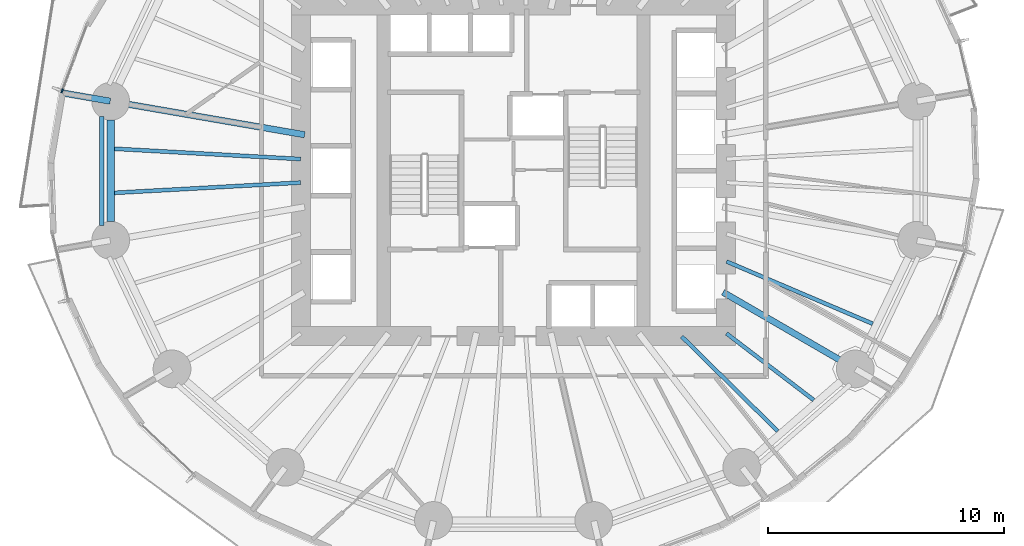
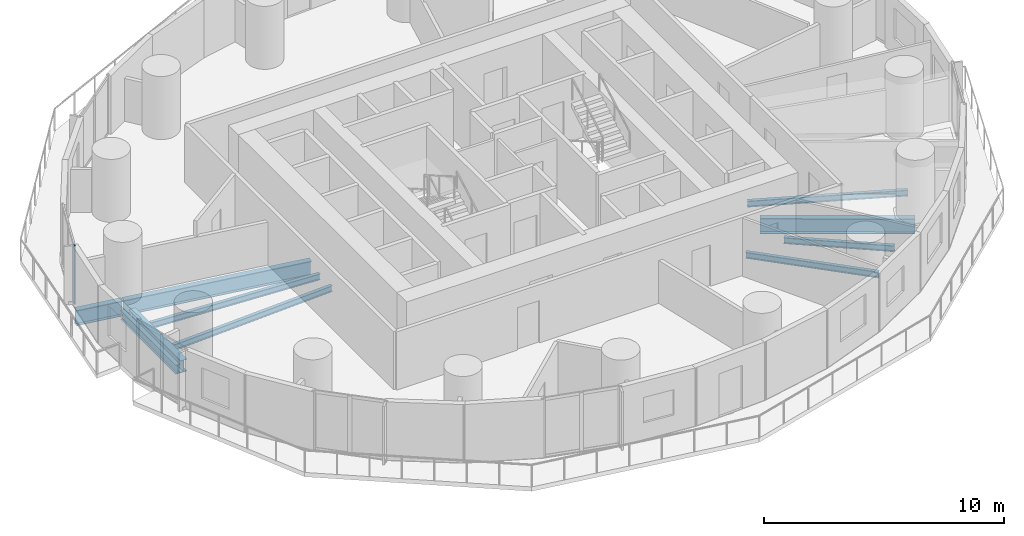
# One storey, part 3 of 14: 10 beams, 1 member, 1 element without a shape of its own.
"""IFC4 building model written with IfcOpenShell, lengths in metres."""

from ifc_helpers import new_model, si_unit, direction, frame, origin, origin_2d, place, context, subcontext, project, spatial, rectangle, i_section, extrude, material, material_profile, profile_set, type_object, element, aggregate, save


model = new_model("IFC4")

# Units and contexts
model_context = context("Model", 3, precision=1e-05, world=origin(), true_north=direction((0.0, 1.0)))
body_context = subcontext(model_context, "Body", "Model", "MODEL_VIEW")
ifc_project = project(units=[si_unit("LENGTHUNIT", "METRE"), si_unit("AREAUNIT", "SQUARE_METRE"), si_unit("VOLUMEUNIT", "CUBIC_METRE"), si_unit("PLANEANGLEUNIT", "RADIAN"), si_unit("MASSUNIT", "GRAM", prefix="KILO")], contexts=[model_context])

# Site, building, storey
site_placement = place(None, origin())
site = spatial("IfcSite", under=ifc_project, at=site_placement, CompositionType="ELEMENT")
building_placement = place(site_placement, origin())
building = spatial("IfcBuilding", under=site, at=building_placement, Name="Veldorim Arch Residences", CompositionType="ELEMENT")
storey_placement = place(building_placement, frame((0.0, 0.0, 37.60009765625)))
storey = spatial("IfcBuildingStorey", under=building, at=storey_placement, Name="L10", CompositionType="ELEMENT", Elevation=37.60009765625)

# Beams
ifc_material_1 = material(Name="Steel S355", Category="steel")
ifc_material_profile_1 = material_profile(ifc_material_1, i_section(OverallWidth=0.30712890625, OverallDepth=0.6201171875, WebThickness=0.01416015625, FlangeThickness=0.023681640625, at=origin_2d()), Name="UB610x305x179")
ifc_profile_set_1 = profile_set([ifc_material_profile_1], Name="Steel S355")
beam_type_1 = type_object("IfcBeamType", Name="Structural Steel Beam UB610x305x179", PredefinedType="BEAM", material=ifc_profile_set_1)
beam_1_placement = place(storey_placement, frame((14.934326171875, 26.14599609375, -0.55029296875), z_axis=(0.0, -1.0, 0.0), x_axis=(1.0, 0.0, 0.0)))
element("IfcBeam", 1, at=beam_1_placement, inside=storey, type_object=beam_type_1, Name="L10 perimeter ring tie beam 08", PredefinedType="BEAM", context=body_context, shape_type="SweptSolid", body=[
    extrude(i_section(OverallWidth=0.30712890625, OverallDepth=0.6201171875, WebThickness=0.01416015625, FlangeThickness=0.023681640625, at=origin_2d()), origin(), (0.0, 0.0, 1.0), 4.2919921875),
])
ifc_material_2 = material(Name="Steel S355", Category="steel")
ifc_material_profile_2 = material_profile(ifc_material_2, i_section(OverallWidth=0.26806640625, OverallDepth=0.769775390625, WebThickness=0.015625, FlangeThickness=0.025390625, at=origin_2d()), Name="UB762x267x197")
ifc_profile_set_2 = profile_set([ifc_material_profile_2], Name="Steel S355")
beam_type_2 = type_object("IfcBeamType", Name="Structural Steel GIRDER UB762x267x197", PredefinedType="USERDEFINED", material=ifc_profile_set_2)
beam_2_placement = place(storey_placement, frame((23.147705078125, 25.528076171875, -0.625), z_axis=(-0.985427548249, 0.170095699979, 0.0), x_axis=(-0.170095699979, -0.985427548249, 0.0)))
element("IfcBeam", 2, at=beam_2_placement, inside=storey, type_object=beam_type_2, Name="L10 radial floor girder 08", ObjectType="GIRDER", PredefinedType="USERDEFINED", context=body_context, shape_type="SweptSolid", body=[
    extrude(i_section(OverallWidth=0.26806640625, OverallDepth=0.769775390625, WebThickness=0.015625, FlangeThickness=0.025390625, at=origin_2d()), origin(), (0.0, 0.0, 1.0), 8.314697265625),
])
beam_3_placement = place(storey_placement, frame((14.91455078125, 26.94921875, -0.625), z_axis=(-0.985426816784, 0.170099937575, 0.0), x_axis=(-0.170099937575, -0.985426816784, 0.0)))
element("IfcBeam", 3, at=beam_3_placement, inside=storey, type_object=beam_type_2, Name="L10 radial edge cantilever girder 08", ObjectType="GIRDER", PredefinedType="USERDEFINED", context=body_context, shape_type="SweptSolid", body=[
    extrude(i_section(OverallWidth=0.26806640625, OverallDepth=0.769775390625, WebThickness=0.015625, FlangeThickness=0.025390625, at=origin_2d()), origin(), (0.0, 0.0, 1.0), 2.075439453125),
])
beam_4_placement = place(storey_placement, frame((40.8701171875, 18.8564453125, -0.625), z_axis=(0.865088348752, -0.501619525989, 0.0), x_axis=(0.501619525989, 0.865088348752, 0.0)))
element("IfcBeam", 4, at=beam_4_placement, inside=storey, type_object=beam_type_2, Name="L10 radial floor girder 15", ObjectType="GIRDER", PredefinedType="USERDEFINED", context=body_context, shape_type="SweptSolid", body=[
    extrude(i_section(OverallWidth=0.26806640625, OverallDepth=0.769775390625, WebThickness=0.015625, FlangeThickness=0.025390625, at=origin_2d()), origin(), (0.0, 0.0, 1.0), 6.4501953125),
])
ifc_material_3 = material(Name="Steel S355", Category="steel")
ifc_material_profile_3 = material_profile(ifc_material_3, i_section(OverallWidth=0.165771484375, OverallDepth=0.306640625, WebThickness=0.006591796875, FlangeThickness=0.01171875, at=origin_2d()), Name="UB305x165x46")
ifc_profile_set_3 = profile_set([ifc_material_profile_3], Name="Steel S355")
beam_type_3 = type_object("IfcBeamType", Name="Structural Steel Joist UB305x165x46", PredefinedType="JOIST", material=ifc_profile_set_3)
for number, where, z_axis, x_axis, name in (
    (5, (22.97998046875, 24.498291015625, -0.393310546875), (-0.998478371109, 0.055144740699, 0.0), (-0.055144740699, -0.998478371109, 0.0), "L10 secondary radial floor joist 08-1"),
    (6, (22.97998046875, 23.501708984375, -0.393310546875), (-0.998478371109, -0.055144740699, 0.0), (0.055144740699, -0.998478371109, 0.0), "L10 secondary radial floor joist 08-2"),
):
    element("IfcBeam", number, at=place(storey_placement, frame(where, z_axis=z_axis, x_axis=x_axis)), inside=storey, type_object=beam_type_3, Name=name, PredefinedType="JOIST", context=body_context, shape_type="SweptSolid", body=[
        extrude(i_section(OverallWidth=0.165771484375, OverallDepth=0.306640625, WebThickness=0.006591796875, FlangeThickness=0.01171875, at=origin_2d()), origin(), (0.0, 0.0, 1.0), 7.898193359375),
    ])
beam_5_placement = place(storey_placement, frame((39.114990234375, 16.986083984375, -0.393310546875), z_axis=(0.712129078446, -0.702048556463, 0.0), x_axis=(0.702048556463, 0.712129078446, 0.0)))
element("IfcBeam", 7, at=beam_5_placement, inside=storey, type_object=beam_type_3, Name="L10 secondary radial floor joist 14-1", PredefinedType="JOIST", context=body_context, shape_type="SweptSolid", body=[
    extrude(i_section(OverallWidth=0.165771484375, OverallDepth=0.306640625, WebThickness=0.006591796875, FlangeThickness=0.01171875, at=origin_2d()), origin(), (0.0, 0.0, 1.0), 5.715576171875),
])
beam_6_placement = place(storey_placement, frame((41.015869140625, 17.1123046875, -0.393310546875), z_axis=(0.794666431166, -0.607046343517, 0.0), x_axis=(0.607046343517, 0.794666431166, 0.0)))
element("IfcBeam", 8, at=beam_6_placement, inside=storey, type_object=beam_type_3, Name="L10 secondary radial floor joist 14-2", PredefinedType="JOIST", context=body_context, shape_type="SweptSolid", body=[
    extrude(i_section(OverallWidth=0.165771484375, OverallDepth=0.306640625, WebThickness=0.006591796875, FlangeThickness=0.01171875, at=origin_2d()), origin(), (0.0, 0.0, 1.0), 4.646728515625),
])
beam_7_placement = place(storey_placement, frame((41.018310546875, 20.15869140625, -0.393310546875), z_axis=(0.920032948668, -0.391841005213, 0.0), x_axis=(0.391841005213, 0.920032948668, 0.0)))
element("IfcBeam", 9, at=beam_7_placement, inside=storey, type_object=beam_type_3, Name="L10 secondary radial floor joist 15-1", PredefinedType="JOIST", context=body_context, shape_type="SweptSolid", body=[
    extrude(i_section(OverallWidth=0.165771484375, OverallDepth=0.306640625, WebThickness=0.006591796875, FlangeThickness=0.01171875, at=origin_2d()), origin(), (0.0, 0.0, 1.0), 6.723388671875),
])
ifc_material_4 = material(Name="Steel S355", Category="steel")
ifc_material_profile_4 = material_profile(ifc_material_4, i_section(OverallWidth=0.19140625, OverallDepth=0.4599609375, WebThickness=0.010009765625, FlangeThickness=0.01611328125, at=origin_2d()), Name="UB457x191x82")
ifc_profile_set_4 = profile_set([ifc_material_profile_4], Name="Steel S355")
beam_type_4 = type_object("IfcBeamType", Name="Structural Steel Spandrel UB457x191x82", PredefinedType="SPANDREL", material=ifc_profile_set_4)
beam_8_placement = place(storey_placement, frame((14.559814453125, 26.306396484375, -0.489990234375), z_axis=(0.0, -1.0, 0.0), x_axis=(1.0, 0.0, 0.0)))
element("IfcBeam", 10, at=beam_8_placement, inside=storey, type_object=beam_type_4, Name="L10 perimeter chord spandrel beam 08", PredefinedType="SPANDREL", context=body_context, shape_type="SweptSolid", body=[
    extrude(i_section(OverallWidth=0.19140625, OverallDepth=0.4599609375, WebThickness=0.010009765625, FlangeThickness=0.01611328125, at=origin_2d()), origin(), (0.0, 0.0, 1.0), 4.61279296875),
])

# Curtain wall, member
ifc_material_5 = material(Name="Aluminium", Category="aluminium")
curtain_wall_type = type_object("IfcCurtainWallType", Name="Zone 1 Acoustic Low-E Unitised Curtain Wall", PredefinedType="NOTDEFINED", material=ifc_material_5)
curtain_wall_placement = place(storey_placement, origin())
curtain_wall = element("IfcCurtainWall", 11, at=curtain_wall_placement, inside=storey, type_object=curtain_wall_type, Name="L10 unitised curtain wall bay 16", PredefinedType="NOTDEFINED")
ifc_material_6 = material(Name="Aluminium", Category="aluminium")
ifc_material_profile_5 = material_profile(ifc_material_6, rectangle(XDim=0.06494140625, YDim=0.175048828125, at=origin_2d()), Name="ALU_MUL_65x175")
ifc_profile_set_5 = profile_set([ifc_material_profile_5], Name="Aluminium")
member_type = type_object("IfcMemberType", Name="Zone 1 Acoustic Low-E Unitised Curtain Wall Mullion 65x175", PredefinedType="MULLION", material=ifc_profile_set_5)
member_placement = place(storey_placement, frame((12.877685546875, 27.38232421875, 0.0), z_axis=(0.0, 0.0, 1.0), x_axis=(-0.9356558675, 0.352913725454, 0.0)))
member = element("IfcMember", 12, at=member_placement, type_object=member_type, Name="CW-Z1 mullion 1", PredefinedType="MULLION", context=body_context, shape_type="SweptSolid", body=[
    extrude(rectangle(XDim=0.06494140625, YDim=0.175048828125, at=origin_2d()), origin(), (0.0, 0.0, 1.0), 2.9599609375),
])
aggregate(curtain_wall, [member])

save(model, "model.ifc")
